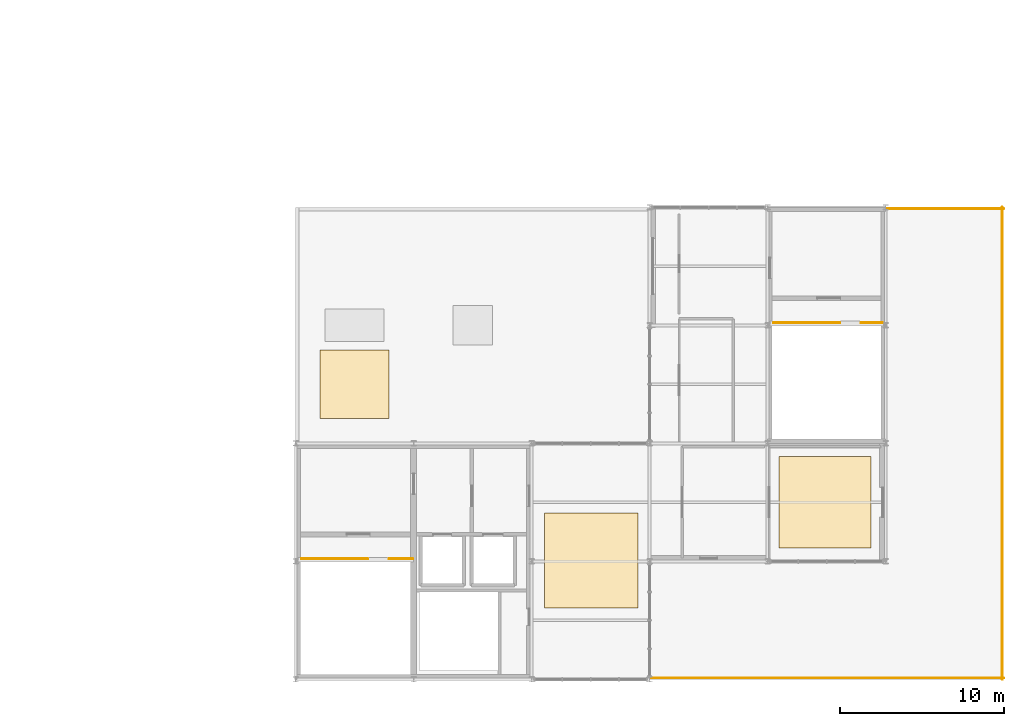
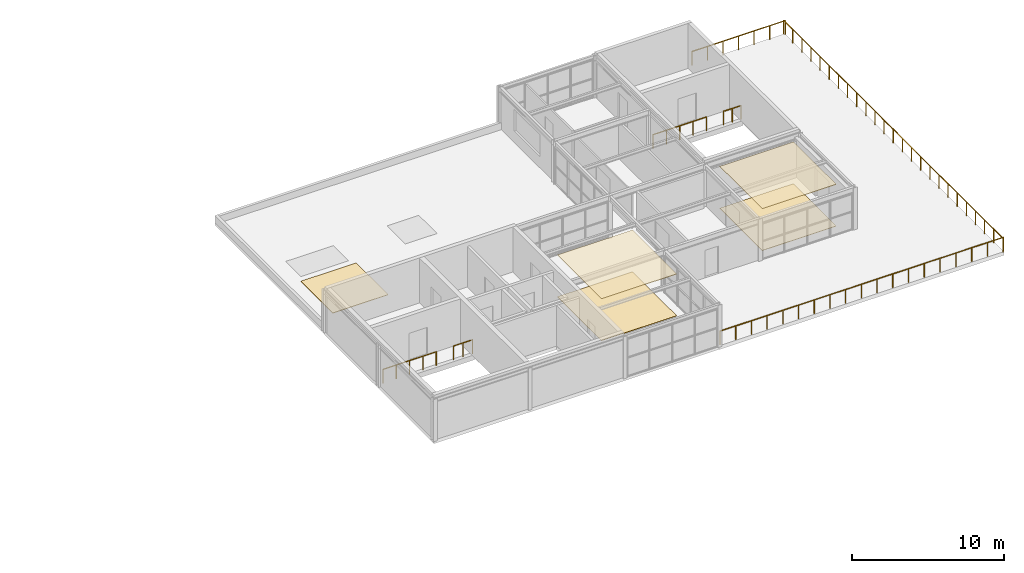
# One storey, part 22 of 22: 9 railings, 5 coverings.
"""IFC4 building model written with IfcOpenShell, lengths in metres."""

from ifc_helpers import new_model, si_unit, direction, frame, origin, origin_2d, place, context, subcontext, project, spatial, rectangle, circle, extrude, material, layer, layer_set, type_object, element, save


model = new_model("IFC4")

# Units and contexts
model_context = context("Model", 3, precision=1e-05, world=origin(), true_north=direction((0.0, 1.0)))
body_context = subcontext(model_context, "Body", "Model", "MODEL_VIEW")
ifc_project = project(units=[si_unit("LENGTHUNIT", "METRE"), si_unit("AREAUNIT", "SQUARE_METRE"), si_unit("VOLUMEUNIT", "CUBIC_METRE"), si_unit("PLANEANGLEUNIT", "RADIAN"), si_unit("MASSUNIT", "GRAM", prefix="KILO")], contexts=[model_context])

# Site, building, storey
site_placement = place(None, origin())
site = spatial("IfcSite", under=ifc_project, at=site_placement, CompositionType="ELEMENT")
building_placement = place(site_placement, origin())
building = spatial("IfcBuilding", under=site, at=building_placement, Name="Leyfeld Transit Interchange", CompositionType="ELEMENT")
storey_placement = place(building_placement, frame((0.0, 0.0, 18.0)))
storey = spatial("IfcBuildingStorey", under=building, at=storey_placement, Name="L04", CompositionType="ELEMENT", Elevation=18.0)

# Coverings
ifc_material_1 = material(Name="Austrian larch acoustic slat ceiling", Category="wood")
ifc_layer_1 = layer(ifc_material_1, 0.0400390625, Name="Austrian larch acoustic slat ceiling")
ifc_layer_set_1 = layer_set([ifc_layer_1], Name="Austrian larch acoustic slat ceiling")
covering_type_1 = type_object("IfcCoveringType", Name="COV-CLG-LRC", PredefinedType="CEILING", material=ifc_layer_set_1)
covering_1_placement = place(storey_placement, frame((154.85009765625, 64.85009765625, 3.344970703125), z_axis=(0.0, 0.0, 1.0), x_axis=(1.0, 0.0, 0.0)))
element("IfcCovering", 1, at=covering_1_placement, inside=storey, type_object=covering_type_1, Name="Acoustic Slat Ceiling Sustainable Transit Exhibition Gallery", PredefinedType="CEILING", context=body_context, shape_type="SweptSolid", body=[
    extrude(rectangle(XDim=5.699951171875, YDim=5.800048828125, at=origin_2d()), origin(), (0.0, 0.0, 1.0), 0.0400390625),
])
covering_2_placement = place(storey_placement, frame((169.10009765625, 68.39990234375, 3.344970703125), z_axis=(0.0, 0.0, 1.0), x_axis=(1.0, 0.0, 0.0)))
element("IfcCovering", 2, at=covering_2_placement, inside=storey, type_object=covering_type_1, Name="Acoustic Slat Ceiling East Mobility Innovation Studio", PredefinedType="CEILING", context=body_context, shape_type="SweptSolid", body=[
    extrude(rectangle(XDim=5.60009765625, YDim=5.60009765625, at=origin_2d()), origin(), (0.0, 0.0, 1.0), 0.0400390625),
])
ifc_material_2 = material(Name="Polished Danube terrazzo flooring", Category="stone")
ifc_layer_2 = layer(ifc_material_2, 0.030029296875, Name="Polished Danube terrazzo flooring")
ifc_layer_set_2 = layer_set([ifc_layer_2], Name="Polished Danube terrazzo flooring")
covering_type_2 = type_object("IfcCoveringType", Name="COV-FLR-TRZ", PredefinedType="FLOORING", material=ifc_layer_set_2)
covering_3_placement = place(storey_placement, frame((154.85009765625, 64.85009765625, 0.0), z_axis=(0.0, 0.0, 1.0), x_axis=(1.0, 0.0, 0.0)))
element("IfcCovering", 3, at=covering_3_placement, inside=storey, type_object=covering_type_2, Name="Terrazzo Flooring Sustainable Transit Exhibition Gallery", PredefinedType="FLOORING", context=body_context, shape_type="SweptSolid", body=[
    extrude(rectangle(XDim=5.699951171875, YDim=5.800048828125, at=origin_2d()), origin(), (0.0, 0.0, 1.0), 0.030029296875),
])
covering_4_placement = place(storey_placement, frame((169.10009765625, 68.39990234375, 0.0), z_axis=(0.0, 0.0, 1.0), x_axis=(1.0, 0.0, 0.0)))
element("IfcCovering", 4, at=covering_4_placement, inside=storey, type_object=covering_type_2, Name="Terrazzo Flooring East Mobility Innovation Studio", PredefinedType="FLOORING", context=body_context, shape_type="SweptSolid", body=[
    extrude(rectangle(XDim=5.60009765625, YDim=5.60009765625, at=origin_2d()), origin(), (0.0, 0.0, 1.0), 0.030029296875),
])
ifc_material_3 = material(Name="Standing-seam titanium-zinc roofing", Category="metal")
ifc_layer_3 = layer(ifc_material_3, 0.034912109375, Name="Standing-seam titanium-zinc roofing")
ifc_layer_set_3 = layer_set([ifc_layer_3], Name="Standing-seam titanium-zinc roofing")
covering_type_3 = type_object("IfcCoveringType", Name="COV-ROF-ZNC", PredefinedType="ROOFING", material=ifc_layer_set_3)
covering_5_placement = place(storey_placement, frame((140.39990234375, 75.60009765625, 0.00048828125), z_axis=(0.0, 0.0, 1.0), x_axis=(1.0, 0.0, 0.0)))
element("IfcCovering", 5, at=covering_5_placement, inside=storey, type_object=covering_type_3, Name="Zinc Roof Membrane L04 04", PredefinedType="ROOFING", context=body_context, shape_type="SweptSolid", body=[
    extrude(rectangle(XDim=4.199951171875, YDim=4.199951171875, at=origin_2d()), origin(), (0.0, 0.0, 1.0), 0.034912109375),
])

# Railings
ifc_material_4 = material(Name="Stainless steel EN 1.4404", Category="steel")
railing_type_1 = type_object("IfcRailingType", Name="RL-BAL-1100", PredefinedType="BALUSTRADE", material=ifc_material_4)
railing_1_placement = place(storey_placement, frame((180.0, 57.679931640625, 0.0)))
element("IfcRailing", 6, at=railing_1_placement, inside=storey, type_object=railing_type_1, Name="Terrace Balustrade L04 013", PredefinedType="BALUSTRADE", context=body_context, shape_type="SweptSolid", body=[
    extrude(circle(Radius=0.02392578125, at=origin_2d()), frame((0.0, 0.0, 1.09619140625), z_axis=(-1.0, 0.0, 0.0), x_axis=(0.0, -1.0, 0.0)), (0.0, 0.0, 1.0), 7.199951171875),
    extrude(circle(Radius=0.02099609375, at=origin_2d()), origin(), (0.0, 0.0, 1.0), 1.072021484375),
    extrude(circle(Radius=0.02099609375, at=origin_2d()), frame((-1.199951171875, 0.0, 0.0)), (0.0, 0.0, 1.0), 1.072021484375),
    extrude(circle(Radius=0.02099609375, at=origin_2d()), frame((-2.39990234375, 0.0, 0.0)), (0.0, 0.0, 1.0), 1.072021484375),
    extrude(circle(Radius=0.02099609375, at=origin_2d()), frame((-3.60009765625, 0.0, 0.0)), (0.0, 0.0, 1.0), 1.072021484375),
    extrude(circle(Radius=0.02099609375, at=origin_2d()), frame((-4.800048828125, 0.0, 0.0)), (0.0, 0.0, 1.0), 1.072021484375),
    extrude(circle(Radius=0.02099609375, at=origin_2d()), frame((-6.0, 0.0, 0.0)), (0.0, 0.0, 1.0), 1.072021484375),
    extrude(circle(Radius=0.02099609375, at=origin_2d()), frame((-7.199951171875, 0.0, 0.0)), (0.0, 0.0, 1.0), 1.072021484375),
])
railing_2_placement = place(storey_placement, frame((172.800048828125, 57.679931640625, 0.0)))
element("IfcRailing", 7, at=railing_2_placement, inside=storey, type_object=railing_type_1, Name="Terrace Balustrade L04 014", PredefinedType="BALUSTRADE", context=body_context, shape_type="SweptSolid", body=[
    extrude(circle(Radius=0.02392578125, at=origin_2d()), frame((0.0, 0.0, 1.09619140625), z_axis=(-1.0, 0.0, 0.0), x_axis=(0.0, -1.0, 0.0)), (0.0, 0.0, 1.0), 14.280029296875),
    extrude(circle(Radius=0.02099609375, at=origin_2d()), origin(), (0.0, 0.0, 1.0), 1.072021484375),
    extrude(circle(Radius=0.02099609375, at=origin_2d()), frame((-1.18994140625, 0.0, 0.0)), (0.0, 0.0, 1.0), 1.072021484375),
    extrude(circle(Radius=0.02099609375, at=origin_2d()), frame((-2.3798828125, 0.0, 0.0)), (0.0, 0.0, 1.0), 1.072021484375),
    extrude(circle(Radius=0.02099609375, at=origin_2d()), frame((-3.570068359375, 0.0, 0.0)), (0.0, 0.0, 1.0), 1.072021484375),
    extrude(circle(Radius=0.02099609375, at=origin_2d()), frame((-4.760009765625, 0.0, 0.0)), (0.0, 0.0, 1.0), 1.072021484375),
    extrude(circle(Radius=0.02099609375, at=origin_2d()), frame((-5.949951171875, 0.0, 0.0)), (0.0, 0.0, 1.0), 1.072021484375),
    extrude(circle(Radius=0.02099609375, at=origin_2d()), frame((-7.14013671875, 0.0, 0.0)), (0.0, 0.0, 1.0), 1.072021484375),
    extrude(circle(Radius=0.02099609375, at=origin_2d()), frame((-8.330078125, 0.0, 0.0)), (0.0, 0.0, 1.0), 1.072021484375),
    extrude(circle(Radius=0.02099609375, at=origin_2d()), frame((-9.52001953125, 0.0, 0.0)), (0.0, 0.0, 1.0), 1.072021484375),
    extrude(circle(Radius=0.02099609375, at=origin_2d()), frame((-10.7099609375, 0.0, 0.0)), (0.0, 0.0, 1.0), 1.072021484375),
    extrude(circle(Radius=0.02099609375, at=origin_2d()), frame((-11.89990234375, 0.0, 0.0)), (0.0, 0.0, 1.0), 1.072021484375),
    extrude(circle(Radius=0.02099609375, at=origin_2d()), frame((-13.090087890625, 0.0, 0.0)), (0.0, 0.0, 1.0), 1.072021484375),
    extrude(circle(Radius=0.02099609375, at=origin_2d()), frame((-14.280029296875, 0.0, 0.0)), (0.0, 0.0, 1.0), 1.072021484375),
])
railing_3_placement = place(storey_placement, frame((172.919921875, 86.320068359375, 0.0)))
element("IfcRailing", 8, at=railing_3_placement, inside=storey, type_object=railing_type_1, Name="Terrace Balustrade L04 015", PredefinedType="BALUSTRADE", context=body_context, shape_type="SweptSolid", body=[
    extrude(circle(Radius=0.02392578125, at=origin_2d()), frame((0.0, 0.0, 1.09619140625), z_axis=(1.0, 0.0, 0.0), x_axis=(0.0, 1.0, 0.0)), (0.0, 0.0, 1.0), 7.080078125),
    extrude(circle(Radius=0.02099609375, at=origin_2d()), origin(), (0.0, 0.0, 1.0), 1.072021484375),
    extrude(circle(Radius=0.02099609375, at=origin_2d()), frame((1.179931640625, 0.0, 0.0)), (0.0, 0.0, 1.0), 1.072021484375),
    extrude(circle(Radius=0.02099609375, at=origin_2d()), frame((2.360107421875, 0.0, 0.0)), (0.0, 0.0, 1.0), 1.072021484375),
    extrude(circle(Radius=0.02099609375, at=origin_2d()), frame((3.5400390625, 0.0, 0.0)), (0.0, 0.0, 1.0), 1.072021484375),
    extrude(circle(Radius=0.02099609375, at=origin_2d()), frame((4.719970703125, 0.0, 0.0)), (0.0, 0.0, 1.0), 1.072021484375),
    extrude(circle(Radius=0.02099609375, at=origin_2d()), frame((5.900146484375, 0.0, 0.0)), (0.0, 0.0, 1.0), 1.072021484375),
    extrude(circle(Radius=0.02099609375, at=origin_2d()), frame((7.080078125, 0.0, 0.0)), (0.0, 0.0, 1.0), 1.072021484375),
])
railing_4_placement = place(storey_placement, frame((179.919921875, 86.39990234375, 0.0)))
element("IfcRailing", 9, at=railing_4_placement, inside=storey, type_object=railing_type_1, Name="Terrace Balustrade L04 016", PredefinedType="BALUSTRADE", context=body_context, shape_type="SweptSolid", body=[
    extrude(circle(Radius=0.02392578125, at=origin_2d()), frame((0.0, 0.0, 1.09619140625), z_axis=(0.0, -1.0, 0.0), x_axis=(1.0, 0.0, 0.0)), (0.0, 0.0, 1.0), 21.599853515625),
    extrude(circle(Radius=0.02099609375, at=origin_2d()), origin(), (0.0, 0.0, 1.0), 1.072021484375),
    extrude(circle(Radius=0.02099609375, at=origin_2d()), frame((0.0, -1.199951171875, 0.0)), (0.0, 0.0, 1.0), 1.072021484375),
    extrude(circle(Radius=0.02099609375, at=origin_2d()), frame((0.0, -2.39990234375, 0.0)), (0.0, 0.0, 1.0), 1.072021484375),
    extrude(circle(Radius=0.02099609375, at=origin_2d()), frame((0.0, -3.60009765625, 0.0)), (0.0, 0.0, 1.0), 1.072021484375),
    extrude(circle(Radius=0.02099609375, at=origin_2d()), frame((0.0, -4.800048828125, 0.0)), (0.0, 0.0, 1.0), 1.072021484375),
    extrude(circle(Radius=0.02099609375, at=origin_2d()), frame((0.0, -6.0, 0.0)), (0.0, 0.0, 1.0), 1.072021484375),
    extrude(circle(Radius=0.02099609375, at=origin_2d()), frame((0.0, -7.199951171875, 0.0)), (0.0, 0.0, 1.0), 1.072021484375),
    extrude(circle(Radius=0.02099609375, at=origin_2d()), frame((0.0, -8.39990234375, 0.0)), (0.0, 0.0, 1.0), 1.072021484375),
    extrude(circle(Radius=0.02099609375, at=origin_2d()), frame((0.0, -9.599853515625, 0.0)), (0.0, 0.0, 1.0), 1.072021484375),
    extrude(circle(Radius=0.02099609375, at=origin_2d()), frame((0.0, -10.7998046875, 0.0)), (0.0, 0.0, 1.0), 1.072021484375),
    extrude(circle(Radius=0.02099609375, at=origin_2d()), frame((0.0, -12.0, 0.0)), (0.0, 0.0, 1.0), 1.072021484375),
    extrude(circle(Radius=0.02099609375, at=origin_2d()), frame((0.0, -13.199951171875, 0.0)), (0.0, 0.0, 1.0), 1.072021484375),
    extrude(circle(Radius=0.02099609375, at=origin_2d()), frame((0.0, -14.39990234375, 0.0)), (0.0, 0.0, 1.0), 1.072021484375),
    extrude(circle(Radius=0.02099609375, at=origin_2d()), frame((0.0, -15.599853515625, 0.0)), (0.0, 0.0, 1.0), 1.072021484375),
    extrude(circle(Radius=0.02099609375, at=origin_2d()), frame((0.0, -16.7998046875, 0.0)), (0.0, 0.0, 1.0), 1.072021484375),
    extrude(circle(Radius=0.02099609375, at=origin_2d()), frame((0.0, -18.0, 0.0)), (0.0, 0.0, 1.0), 1.072021484375),
    extrude(circle(Radius=0.02099609375, at=origin_2d()), frame((0.0, -19.199951171875, 0.0)), (0.0, 0.0, 1.0), 1.072021484375),
    extrude(circle(Radius=0.02099609375, at=origin_2d()), frame((0.0, -20.39990234375, 0.0)), (0.0, 0.0, 1.0), 1.072021484375),
    extrude(circle(Radius=0.02099609375, at=origin_2d()), frame((0.0, -21.599853515625, 0.0)), (0.0, 0.0, 1.0), 1.072021484375),
])
railing_5_placement = place(storey_placement, frame((179.919921875, 64.800048828125, 0.0)))
element("IfcRailing", 10, at=railing_5_placement, inside=storey, type_object=railing_type_1, Name="Terrace Balustrade L04 017", PredefinedType="BALUSTRADE", context=body_context, shape_type="SweptSolid", body=[
    extrude(circle(Radius=0.02392578125, at=origin_2d()), frame((0.0, 0.0, 1.09619140625), z_axis=(0.0, -1.0, 0.0), x_axis=(1.0, 0.0, 0.0)), (0.0, 0.0, 1.0), 7.199951171875),
    extrude(circle(Radius=0.02099609375, at=origin_2d()), origin(), (0.0, 0.0, 1.0), 1.072021484375),
    extrude(circle(Radius=0.02099609375, at=origin_2d()), frame((0.0, -1.199951171875, 0.0)), (0.0, 0.0, 1.0), 1.072021484375),
    extrude(circle(Radius=0.02099609375, at=origin_2d()), frame((0.0, -2.39990234375, 0.0)), (0.0, 0.0, 1.0), 1.072021484375),
    extrude(circle(Radius=0.02099609375, at=origin_2d()), frame((0.0, -3.60009765625, 0.0)), (0.0, 0.0, 1.0), 1.072021484375),
    extrude(circle(Radius=0.02099609375, at=origin_2d()), frame((0.0, -4.800048828125, 0.0)), (0.0, 0.0, 1.0), 1.072021484375),
    extrude(circle(Radius=0.02099609375, at=origin_2d()), frame((0.0, -6.0, 0.0)), (0.0, 0.0, 1.0), 1.072021484375),
    extrude(circle(Radius=0.02099609375, at=origin_2d()), frame((0.0, -7.199951171875, 0.0)), (0.0, 0.0, 1.0), 1.072021484375),
])
railing_type_2 = type_object("IfcRailingType", Name="RL-STR-GRD-1100", PredefinedType="GUARDRAIL", material=ifc_material_4)
railing_6_placement = place(storey_placement, frame((137.159912109375, 64.949951171875, 0.0)))
element("IfcRailing", 11, at=railing_6_placement, inside=storey, type_object=railing_type_2, Name="Stair ST-04 Landing Guard TOPW L04", PredefinedType="GUARDRAIL", context=body_context, shape_type="SweptSolid", body=[
    extrude(circle(Radius=0.02392578125, at=origin_2d()), frame((0.0, 0.0, 1.09619140625), z_axis=(1.0, 0.0, 0.0), x_axis=(0.0, 1.0, 0.0)), (0.0, 0.0, 1.0), 4.0400390625),
    extrude(circle(Radius=0.02099609375, at=origin_2d()), origin(), (0.0, 0.0, 1.0), 1.072021484375),
    extrude(circle(Radius=0.02099609375, at=origin_2d()), frame((1.010009765625, 0.0, 0.0)), (0.0, 0.0, 1.0), 1.072021484375),
    extrude(circle(Radius=0.02099609375, at=origin_2d()), frame((2.02001953125, 0.0, 0.0)), (0.0, 0.0, 1.0), 1.072021484375),
    extrude(circle(Radius=0.02099609375, at=origin_2d()), frame((3.030029296875, 0.0, 0.0)), (0.0, 0.0, 1.0), 1.072021484375),
    extrude(circle(Radius=0.02099609375, at=origin_2d()), frame((4.0400390625, 0.0, 0.0)), (0.0, 0.0, 1.0), 1.072021484375),
])
railing_7_placement = place(storey_placement, frame((142.5, 64.949951171875, 0.0)))
element("IfcRailing", 12, at=railing_7_placement, inside=storey, type_object=railing_type_2, Name="Stair ST-04 Landing Guard TOPE L04", PredefinedType="GUARDRAIL", context=body_context, shape_type="SweptSolid", body=[
    extrude(circle(Radius=0.02392578125, at=origin_2d()), frame((0.0, 0.0, 1.09619140625), z_axis=(1.0, 0.0, 0.0), x_axis=(0.0, 1.0, 0.0)), (0.0, 0.0, 1.0), 1.449951171875),
    extrude(circle(Radius=0.02099609375, at=origin_2d()), origin(), (0.0, 0.0, 1.0), 1.072021484375),
    extrude(circle(Radius=0.02099609375, at=origin_2d()), frame((0.72509765625, 0.0, 0.0)), (0.0, 0.0, 1.0), 1.072021484375),
    extrude(circle(Radius=0.02099609375, at=origin_2d()), frame((1.449951171875, 0.0, 0.0)), (0.0, 0.0, 1.0), 1.072021484375),
])
railing_8_placement = place(storey_placement, frame((165.9599609375, 79.35009765625, 0.0)))
element("IfcRailing", 13, at=railing_8_placement, inside=storey, type_object=railing_type_2, Name="Stair ST-05 Landing Guard TOPW L04", PredefinedType="GUARDRAIL", context=body_context, shape_type="SweptSolid", body=[
    extrude(circle(Radius=0.02392578125, at=origin_2d()), frame((0.0, 0.0, 1.09619140625), z_axis=(1.0, 0.0, 0.0), x_axis=(0.0, 1.0, 0.0)), (0.0, 0.0, 1.0), 4.0400390625),
    extrude(circle(Radius=0.02099609375, at=origin_2d()), origin(), (0.0, 0.0, 1.0), 1.072021484375),
    extrude(circle(Radius=0.02099609375, at=origin_2d()), frame((1.010009765625, 0.0, 0.0)), (0.0, 0.0, 1.0), 1.072021484375),
    extrude(circle(Radius=0.02099609375, at=origin_2d()), frame((2.02001953125, 0.0, 0.0)), (0.0, 0.0, 1.0), 1.072021484375),
    extrude(circle(Radius=0.02099609375, at=origin_2d()), frame((3.030029296875, 0.0, 0.0)), (0.0, 0.0, 1.0), 1.072021484375),
    extrude(circle(Radius=0.02099609375, at=origin_2d()), frame((4.0400390625, 0.0, 0.0)), (0.0, 0.0, 1.0), 1.072021484375),
])
railing_9_placement = place(storey_placement, frame((171.300048828125, 79.35009765625, 0.0)))
element("IfcRailing", 14, at=railing_9_placement, inside=storey, type_object=railing_type_2, Name="Stair ST-05 Landing Guard TOPE L04", PredefinedType="GUARDRAIL", context=body_context, shape_type="SweptSolid", body=[
    extrude(circle(Radius=0.02392578125, at=origin_2d()), frame((0.0, 0.0, 1.09619140625), z_axis=(1.0, 0.0, 0.0), x_axis=(0.0, 1.0, 0.0)), (0.0, 0.0, 1.0), 1.31494140625),
    extrude(circle(Radius=0.02099609375, at=origin_2d()), origin(), (0.0, 0.0, 1.0), 1.072021484375),
    extrude(circle(Radius=0.02099609375, at=origin_2d()), frame((0.657470703125, 0.0, 0.0)), (0.0, 0.0, 1.0), 1.072021484375),
    extrude(circle(Radius=0.02099609375, at=origin_2d()), frame((1.31494140625, 0.0, 0.0)), (0.0, 0.0, 1.0), 1.072021484375),
])

save(model, "model.ifc")
